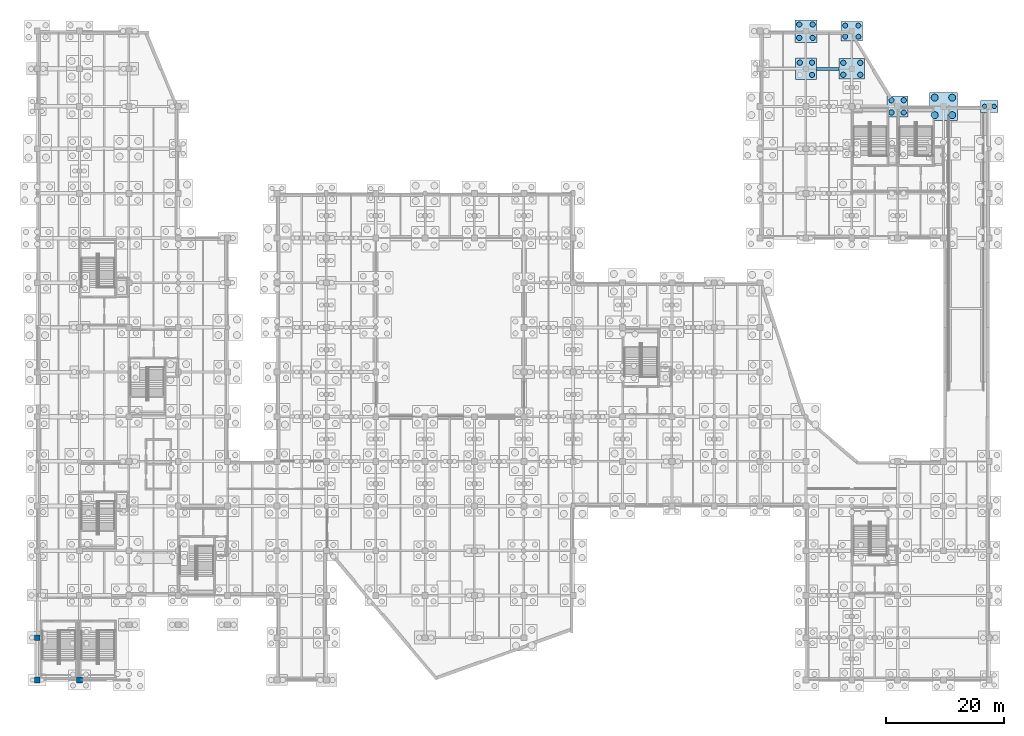
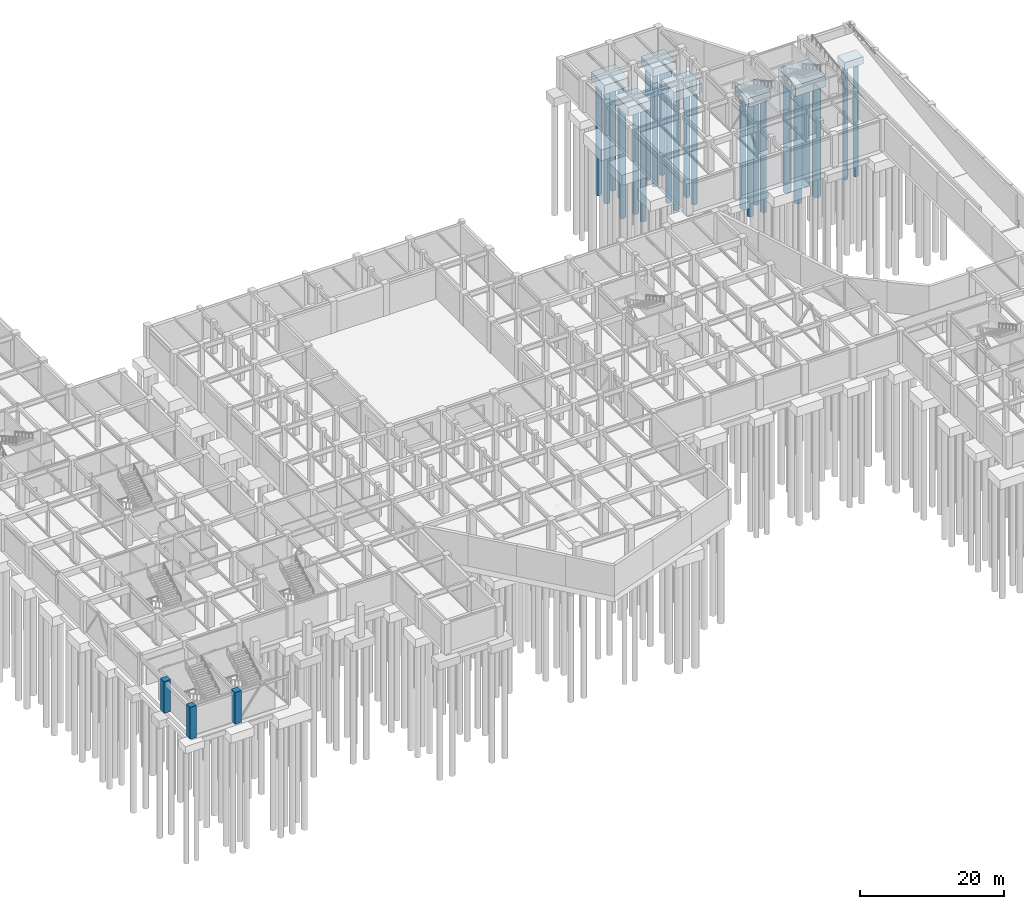
# One storey, part 13 of 52: 25 piles, 8 footings, 3 columns.
"""IFC4 building model written with IfcOpenShell, lengths in metres."""

from ifc_helpers import new_model, si_unit, direction, frame, origin, origin_2d, place, context, subcontext, project, spatial, rectangle, circle, extrude, material, material_profile, profile_set, type_object, element, save


model = new_model("IFC4")

# Units and contexts
model_context = context("Model", 3, precision=1e-05, world=origin(), true_north=direction((0.0, 1.0)))
body_context = subcontext(model_context, "Body", "Model", "MODEL_VIEW")
ifc_project = project(units=[si_unit("LENGTHUNIT", "METRE"), si_unit("AREAUNIT", "SQUARE_METRE"), si_unit("VOLUMEUNIT", "CUBIC_METRE"), si_unit("PLANEANGLEUNIT", "RADIAN"), si_unit("MASSUNIT", "GRAM", prefix="KILO")], contexts=[model_context])

# Site, building, storey
site_placement = place(None, origin())
site = spatial("IfcSite", under=ifc_project, at=site_placement, CompositionType="ELEMENT")
building_placement = place(site_placement, origin())
building = spatial("IfcBuilding", under=site, at=building_placement, Name="Xicomal Pleat Aquarium", CompositionType="ELEMENT")
storey_placement = place(building_placement, frame((0.0, 0.0, -5.39990234375)))
storey = spatial("IfcBuildingStorey", under=building, at=storey_placement, Name="B1", CompositionType="ELEMENT", Elevation=-5.39990234375)

# Footings
ifc_material_1 = material(Name="Concrete C40/50", Category="concrete")
ifc_material_profile_1 = material_profile(ifc_material_1, rectangle(XDim=0.5, YDim=0.800048828125, at=origin_2d()), Name="FB-01 500x800")
ifc_profile_set_1 = profile_set([ifc_material_profile_1], Name="Concrete C40/50")
footing_type_1 = type_object("IfcFootingType", Name="FTG-FB-500x800", PredefinedType="FOOTING_BEAM", material=ifc_profile_set_1)
footing_1_placement = place(storey_placement, frame((135.590087890625, 104.800048828125, -1.0), z_axis=(1.0, 0.0, 0.0), x_axis=(0.0, 1.0, 0.0)))
element("IfcFooting", 1, at=footing_1_placement, inside=storey, type_object=footing_type_1, Name="Foundation tie beam 17-18/Q", PredefinedType="FOOTING_BEAM", context=body_context, shape_type="SweptSolid", body=[
    extrude(rectangle(XDim=0.5, YDim=0.800048828125, at=origin_2d()), origin(), (0.0, 0.0, 1.0), 3.81982421875),
])
ifc_material_2 = material(Name="Concrete C40/50", Category="concrete")
footing_type_2 = type_object("IfcFootingType", Name="FTG-PC-3000x2000x1200", PredefinedType="PILE_CAP", material=ifc_material_2)
footing_2_placement = place(storey_placement, frame((165.0, 98.39990234375, -1.80029296875), z_axis=(0.0, 0.0, 1.0), x_axis=(1.0, 0.0, 0.0)))
element("IfcFooting", 2, at=footing_2_placement, inside=storey, type_object=footing_type_2, Name="Pile cap 21-P", PredefinedType="PILE_CAP", context=body_context, shape_type="SweptSolid", body=[
    extrude(rectangle(XDim=3.0, YDim=2.0, at=origin_2d()), origin(), (0.0, 0.0, 1.0), 1.199951171875),
])
ifc_material_3 = material(Name="Concrete C40/50", Category="concrete")
footing_type_3 = type_object("IfcFootingType", Name="FTG-PC-3600x3600x1500", PredefinedType="PILE_CAP", material=ifc_material_3)
for number, where, z_axis, x_axis, name in (
    (3, (133.800048828125, 104.800048828125, -2.10009765625), (0.0, 0.0, 1.0), (1.0, 0.0, 0.0), "Pile cap 17-Q"),
    (4, (149.39990234375, 98.39990234375, -2.10009765625), (0.0, 0.0, 1.0), (1.0, 0.0, 0.0), "Pile cap 19-P"),
):
    element("IfcFooting", number, at=place(storey_placement, frame(where, z_axis=z_axis, x_axis=x_axis)), inside=storey, type_object=footing_type_3, Name=name, PredefinedType="PILE_CAP", context=body_context, shape_type="SweptSolid", body=[
        extrude(rectangle(XDim=3.60009765625, YDim=3.60009765625, at=origin_2d()), origin(), (0.0, 0.0, 1.0), 1.5),
    ])
ifc_material_4 = material(Name="Concrete C40/50", Category="concrete")
footing_type_4 = type_object("IfcFootingType", Name="FTG-PC-3700x3350x1450", PredefinedType="PILE_CAP", material=ifc_material_4)
footing_3_placement = place(storey_placement, frame((141.60009765625, 111.199951171875, -2.05029296875), z_axis=(0.0, 0.0, 1.0), x_axis=(1.0, 0.0, 0.0)))
element("IfcFooting", 5, at=footing_3_placement, inside=storey, type_object=footing_type_4, Name="Pile cap 18-R", PredefinedType="PILE_CAP", context=body_context, shape_type="SweptSolid", body=[
    extrude(rectangle(XDim=3.699951171875, YDim=3.35009765625, at=origin_2d()), origin(), (0.0, 0.0, 1.0), 1.449951171875),
])
ifc_material_5 = material(Name="Concrete C40/50", Category="concrete")
footing_type_5 = type_object("IfcFootingType", Name="FTG-PC-3800x3800x1550", PredefinedType="PILE_CAP", material=ifc_material_5)
footing_4_placement = place(storey_placement, frame((133.800048828125, 111.199951171875, -2.14990234375), z_axis=(0.0, 0.0, 1.0), x_axis=(1.0, 0.0, 0.0)))
element("IfcFooting", 6, at=footing_4_placement, inside=storey, type_object=footing_type_5, Name="Pile cap 17-R", PredefinedType="PILE_CAP", context=body_context, shape_type="SweptSolid", body=[
    extrude(rectangle(XDim=3.800048828125, YDim=3.800048828125, at=origin_2d()), origin(), (0.0, 0.0, 1.0), 1.550048828125),
])
ifc_material_6 = material(Name="Concrete C40/50", Category="concrete")
footing_type_6 = type_object("IfcFootingType", Name="FTG-PC-4400x3550x1550", PredefinedType="PILE_CAP", material=ifc_material_6)
footing_5_placement = place(storey_placement, frame((141.60009765625, 104.800048828125, -2.14990234375), z_axis=(0.0, 0.0, 1.0), x_axis=(1.0, 0.0, 0.0)))
element("IfcFooting", 7, at=footing_5_placement, inside=storey, type_object=footing_type_6, Name="Pile cap 18-Q", PredefinedType="PILE_CAP", context=body_context, shape_type="SweptSolid", body=[
    extrude(rectangle(XDim=4.39990234375, YDim=3.550048828125, at=origin_2d()), origin(), (0.0, 0.0, 1.0), 1.550048828125),
])
ifc_material_7 = material(Name="Concrete C40/50", Category="concrete")
footing_type_7 = type_object("IfcFootingType", Name="FTG-PC-4800x4800x1850", PredefinedType="PILE_CAP", material=ifc_material_7)
footing_6_placement = place(storey_placement, frame((157.199951171875, 98.39990234375, -2.4501953125), z_axis=(0.0, 0.0, 1.0), x_axis=(1.0, 0.0, 0.0)))
element("IfcFooting", 8, at=footing_6_placement, inside=storey, type_object=footing_type_7, Name="Pile cap 20-P", PredefinedType="PILE_CAP", context=body_context, shape_type="SweptSolid", body=[
    extrude(rectangle(XDim=4.800048828125, YDim=4.800048828125, at=origin_2d()), origin(), (0.0, 0.0, 1.0), 1.85009765625),
])

# Piles
ifc_material_8 = material(Name="Concrete C40/50", Category="concrete")
ifc_material_profile_2 = material_profile(ifc_material_8, circle(Radius=0.60009765625, at=origin_2d()), Name="BORED PILE D1200")
ifc_profile_set_2 = profile_set([ifc_material_profile_2], Name="Concrete C40/50")
pile_type_1 = type_object("IfcPileType", Name="PIL-B-1200", PredefinedType="BORED", material=ifc_profile_set_2)
for number, where, z_axis, x_axis, name in (
    (9, (155.7099609375, 96.909912109375, -2.35009765625), (0.0, 0.0, -1.0), (1.0, 0.0, 0.0), "Bored pile 20-P-1"),
    (10, (158.68994140625, 96.909912109375, -2.35009765625), (0.0, 0.0, -1.0), (1.0, 0.0, 0.0), "Bored pile 20-P-2"),
    (11, (155.7099609375, 99.889892578125, -2.35009765625), (0.0, 0.0, -1.0), (1.0, 0.0, 0.0), "Bored pile 20-P-3"),
    (12, (158.68994140625, 99.889892578125, -2.35009765625), (0.0, 0.0, -1.0), (1.0, 0.0, 0.0), "Bored pile 20-P-4"),
):
    element("IfcPile", number, at=place(storey_placement, frame(where, z_axis=z_axis, x_axis=x_axis)), inside=storey, type_object=pile_type_1, Name=name, PredefinedType="BORED", context=body_context, shape_type="SweptSolid", body=[
        extrude(circle(Radius=0.60009765625, at=origin_2d()), origin(), (0.0, 0.0, 1.0), 18.75),
    ])
ifc_material_9 = material(Name="Concrete C40/50", Category="concrete")
ifc_material_profile_3 = material_profile(ifc_material_9, circle(Radius=0.375, at=origin_2d()), Name="BORED PILE D750")
ifc_profile_set_3 = profile_set([ifc_material_profile_3], Name="Concrete C40/50")
pile_type_2 = type_object("IfcPileType", Name="PIL-B-750", PredefinedType="BORED", material=ifc_profile_set_3)
for number, where, z_axis, x_axis, name in (
    (13, (164.18505859375, 98.39990234375, -1.7001953125), (0.0, 0.0, -1.0), (1.0, 0.0, 0.0), "Bored pile 21-P-1"),
    (14, (165.81494140625, 98.39990234375, -1.7001953125), (0.0, 0.0, -1.0), (1.0, 0.0, 0.0), "Bored pile 21-P-2"),
):
    element("IfcPile", number, at=place(storey_placement, frame(where, z_axis=z_axis, x_axis=x_axis)), inside=storey, type_object=pile_type_2, Name=name, PredefinedType="BORED", context=body_context, shape_type="SweptSolid", body=[
        extrude(circle(Radius=0.375, at=origin_2d()), origin(), (0.0, 0.0, 1.0), 19.39990234375),
    ])
ifc_material_10 = material(Name="Concrete C40/50", Category="concrete")
ifc_material_profile_4 = material_profile(ifc_material_10, circle(Radius=0.425048828125, at=origin_2d()), Name="BORED PILE D850")
ifc_profile_set_4 = profile_set([ifc_material_profile_4], Name="Concrete C40/50")
pile_type_3 = type_object("IfcPileType", Name="PIL-B-850", PredefinedType="BORED", material=ifc_profile_set_4)
for number, where, z_axis, x_axis, name in (
    (15, (140.485107421875, 110.260009765625, -1.9501953125), (0.0, 0.0, -1.0), (1.0, 0.0, 0.0), "Bored pile 18-R-1"),
    (16, (142.715087890625, 110.260009765625, -1.9501953125), (0.0, 0.0, -1.0), (1.0, 0.0, 0.0), "Bored pile 18-R-2"),
    (17, (140.485107421875, 112.139892578125, -1.9501953125), (0.0, 0.0, -1.0), (1.0, 0.0, 0.0), "Bored pile 18-R-3"),
    (18, (142.715087890625, 112.139892578125, -1.9501953125), (0.0, 0.0, -1.0), (1.0, 0.0, 0.0), "Bored pile 18-R-4"),
):
    element("IfcPile", number, at=place(storey_placement, frame(where, z_axis=z_axis, x_axis=x_axis)), inside=storey, type_object=pile_type_3, Name=name, PredefinedType="BORED", context=body_context, shape_type="SweptSolid", body=[
        extrude(circle(Radius=0.425048828125, at=origin_2d()), origin(), (0.0, 0.0, 1.0), 19.14990234375),
    ])
ifc_material_11 = material(Name="Concrete C40/50", Category="concrete")
ifc_material_profile_5 = material_profile(ifc_material_11, circle(Radius=0.449951171875, at=origin_2d()), Name="BORED PILE D900")
ifc_profile_set_5 = profile_set([ifc_material_profile_5], Name="Concrete C40/50")
pile_type_4 = type_object("IfcPileType", Name="PIL-B-900", PredefinedType="BORED", material=ifc_profile_set_5)
for number, where, z_axis, x_axis, name in (
    (19, (134.840087890625, 103.760009765625, -2.0), (0.0, 0.0, -1.0), (1.0, 0.0, 0.0), "Bored pile 17-Q-2"),
    (20, (132.760009765625, 105.840087890625, -2.0), (0.0, 0.0, -1.0), (1.0, 0.0, 0.0), "Bored pile 17-Q-3"),
    (21, (134.840087890625, 105.840087890625, -2.0), (0.0, 0.0, -1.0), (1.0, 0.0, 0.0), "Bored pile 17-Q-4"),
):
    element("IfcPile", number, at=place(storey_placement, frame(where, z_axis=z_axis, x_axis=x_axis)), inside=storey, type_object=pile_type_4, Name=name, PredefinedType="BORED", context=body_context, shape_type="SweptSolid", body=[
        extrude(circle(Radius=0.449951171875, at=origin_2d()), origin(), (0.0, 0.0, 1.0), 19.10009765625),
    ])
for number, where, z_axis, x_axis, name in (
    (22, (132.659912109375, 110.06005859375, -2.050048828125), (0.0, 0.0, -1.0), (1.0, 0.0, 0.0), "Bored pile 17-R-1"),
    (23, (134.93994140625, 110.06005859375, -2.050048828125), (0.0, 0.0, -1.0), (1.0, 0.0, 0.0), "Bored pile 17-R-2"),
    (24, (132.659912109375, 112.340087890625, -2.050048828125), (0.0, 0.0, -1.0), (1.0, 0.0, 0.0), "Bored pile 17-R-3"),
    (25, (134.93994140625, 112.340087890625, -2.050048828125), (0.0, 0.0, -1.0), (1.0, 0.0, 0.0), "Bored pile 17-R-4"),
    (26, (140.159912109375, 103.784912109375, -2.050048828125), (0.0, 0.0, -1.0), (1.0, 0.0, 0.0), "Bored pile 18-Q-1"),
    (27, (143.0400390625, 103.784912109375, -2.050048828125), (0.0, 0.0, -1.0), (1.0, 0.0, 0.0), "Bored pile 18-Q-2"),
    (28, (140.159912109375, 105.81494140625, -2.050048828125), (0.0, 0.0, -1.0), (1.0, 0.0, 0.0), "Bored pile 18-Q-3"),
    (29, (143.0400390625, 105.81494140625, -2.050048828125), (0.0, 0.0, -1.0), (1.0, 0.0, 0.0), "Bored pile 18-Q-4"),
):
    element("IfcPile", number, at=place(storey_placement, frame(where, z_axis=z_axis, x_axis=x_axis)), inside=storey, type_object=pile_type_4, Name=name, PredefinedType="BORED", context=body_context, shape_type="SweptSolid", body=[
        extrude(circle(Radius=0.449951171875, at=origin_2d()), origin(), (0.0, 0.0, 1.0), 19.050048828125),
    ])
for number, where, z_axis, x_axis, name in (
    (30, (148.360107421875, 97.360107421875, -2.0), (0.0, 0.0, -1.0), (1.0, 0.0, 0.0), "Bored pile 19-P-1"),
    (31, (150.43994140625, 97.360107421875, -2.0), (0.0, 0.0, -1.0), (1.0, 0.0, 0.0), "Bored pile 19-P-2"),
    (32, (148.360107421875, 99.43994140625, -2.0), (0.0, 0.0, -1.0), (1.0, 0.0, 0.0), "Bored pile 19-P-3"),
    (33, (150.43994140625, 99.43994140625, -2.0), (0.0, 0.0, -1.0), (1.0, 0.0, 0.0), "Bored pile 19-P-4"),
):
    element("IfcPile", number, at=place(storey_placement, frame(where, z_axis=z_axis, x_axis=x_axis)), inside=storey, type_object=pile_type_4, Name=name, PredefinedType="BORED", context=body_context, shape_type="SweptSolid", body=[
        extrude(circle(Radius=0.449951171875, at=origin_2d()), origin(), (0.0, 0.0, 1.0), 19.10009765625),
    ])

# Columns
ifc_material_12 = material(Name="Concrete C40/50", Category="concrete")
ifc_material_profile_6 = material_profile(ifc_material_12, rectangle(XDim=1.0, YDim=1.0, at=origin_2d()), Name="RC 1000x1000")
ifc_profile_set_6 = profile_set([ifc_material_profile_6], Name="Concrete C40/50")
column_type = type_object("IfcColumnType", Name="COL-RC-1000x1000", PredefinedType="COLUMN", material=ifc_profile_set_6)
for number, where, z_axis, x_axis, name in (
    (34, (3.0, 0.800048828125, 0.0), (0.0, 0.0, 1.0), (1.0, 0.0, 0.0), "B1 column 01/A"),
    (35, (3.0, 8.0, 0.0), (0.0, 0.0, 1.0), (1.0, 0.0, 0.0), "B1 column 01/B"),
    (36, (10.199951171875, 0.800048828125, 0.0), (0.0, 0.0, 1.0), (1.0, 0.0, 0.0), "B1 column 02/A"),
):
    element("IfcColumn", number, at=place(storey_placement, frame(where, z_axis=z_axis, x_axis=x_axis)), inside=storey, type_object=column_type, Name=name, PredefinedType="COLUMN", context=body_context, shape_type="SweptSolid", body=[
        extrude(rectangle(XDim=1.0, YDim=1.0, at=origin_2d()), origin(), (0.0, 0.0, 1.0), 5.39990234375),
    ])

save(model, "model.ifc")
